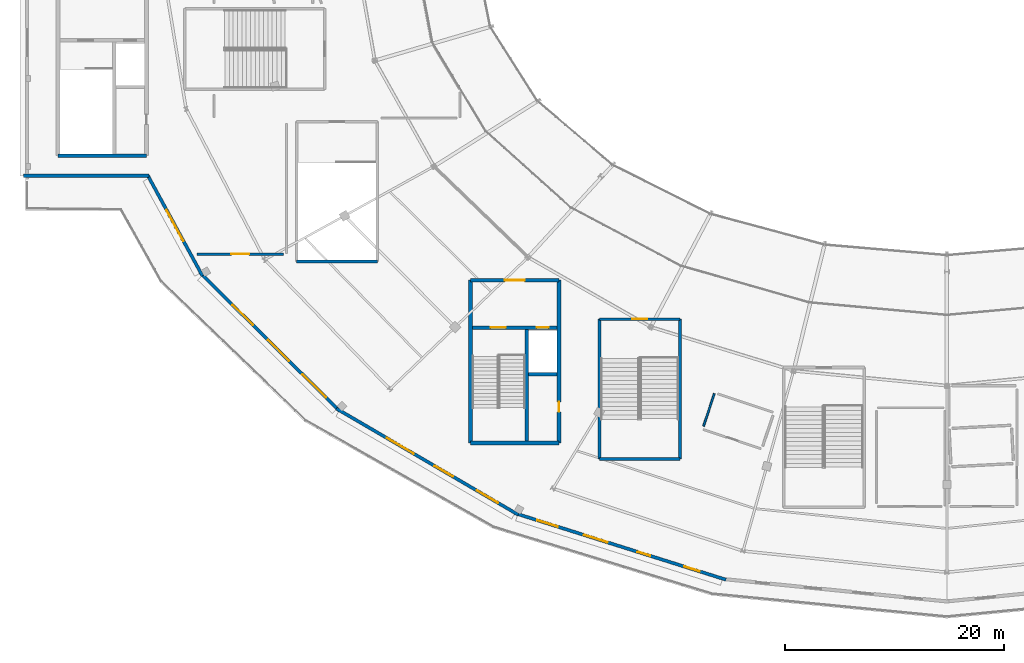
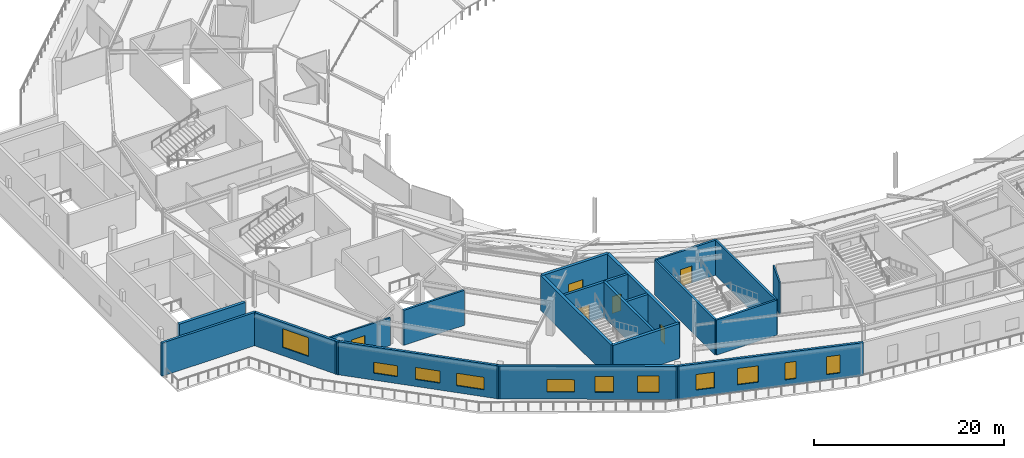
# One storey, part 32 of 63: 20 walls, 11 windows, 6 doors, 17 openings.
"""IFC4 building model written with IfcOpenShell, lengths in metres."""

from ifc_helpers import new_model, si_unit, direction, frame, frame_2d, origin, place, context, subcontext, project, spatial, rectangle, extrude, material, layer, layer_set, type_object, element, fill, save


model = new_model("IFC4")

# Units and contexts
model_context = context("Model", 3, precision=1e-05, world=origin(), true_north=direction((0.0, 1.0)))
body_context = subcontext(model_context, "Body", "Model", "MODEL_VIEW")
ifc_project = project(units=[si_unit("LENGTHUNIT", "METRE"), si_unit("AREAUNIT", "SQUARE_METRE"), si_unit("VOLUMEUNIT", "CUBIC_METRE"), si_unit("PLANEANGLEUNIT", "RADIAN"), si_unit("MASSUNIT", "GRAM", prefix="KILO")], contexts=[model_context])

# Site, building, storey
site_placement = place(None, origin())
site = spatial("IfcSite", under=ifc_project, at=site_placement, CompositionType="ELEMENT")
building_placement = place(site_placement, origin())
building = spatial("IfcBuilding", under=site, at=building_placement, Name="Kalgoora Escarpment Arena", CompositionType="ELEMENT")
storey_placement = place(building_placement, frame((0.0, 0.0, 14.39990234375)))
storey = spatial("IfcBuildingStorey", under=building, at=storey_placement, Name="L03", CompositionType="ELEMENT", Elevation=14.39990234375)

# Walls
ifc_material_1 = material(Name="Concrete N50 (fc' 50 MPa)", Category="concrete")
ifc_layer_1 = layer(ifc_material_1, 0.35009765625)
ifc_layer_set_1 = layer_set([ifc_layer_1], Name="WAL-CORE-350")
wall_type_1 = type_object("IfcWallType", Name="WAL-CORE-350", PredefinedType="SHEAR", material=ifc_layer_set_1)
wall_1_placement = place(storey_placement, frame((11.375, 44.97509765625, 0.0), z_axis=(0.0, 0.0, 1.0), x_axis=(1.0, 0.0, 0.0)))
element("IfcWall", 1, at=wall_1_placement, inside=storey, type_object=wall_type_1, Name="Core C2 L03 south shear wall", PredefinedType="SHEAR", context=body_context, shape_type="SweptSolid", body=[
    extrude(rectangle(XDim=8.050048828125, YDim=0.35009765625, at=frame_2d((4.02490234375, 0.0))), origin(), (0.0, 0.0, 1.0), 4.5),
])
wall_2_placement = place(storey_placement, frame((48.97509765625, 18.77490234375, 0.0), z_axis=(0.0, 0.0, 1.0), x_axis=(1.0, 0.0, 0.0)))
element("IfcWall", 2, at=wall_2_placement, inside=storey, type_object=wall_type_1, Name="Core C5 L03 south shear wall", PredefinedType="SHEAR", context=body_context, shape_type="SweptSolid", body=[
    extrude(rectangle(XDim=8.0498046875, YDim=0.35009765625, at=frame_2d((4.02490234375, 0.0))), origin(), (0.0, 0.0, 1.0), 4.5),
])

# Wall, opening, door
wall_3_placement = place(storey_placement, frame((48.97509765625, 33.625, 0.0), z_axis=(0.0, 0.0, 1.0), x_axis=(1.0, 0.0, 0.0)))
wall_3 = element("IfcWall", 3, at=wall_3_placement, inside=storey, type_object=wall_type_1, Name="Core C5 L03 north lobby wall", PredefinedType="SHEAR", context=body_context, shape_type="SweptSolid", body=[
    extrude(rectangle(XDim=8.0498046875, YDim=0.35009765625, at=frame_2d((4.02490234375, 0.0))), origin(), (0.0, 0.0, 1.0), 4.5),
])
opening_1_placement = place(wall_3_placement, frame((3.125, 0.0, 0.0)))
opening_1 = element("IfcOpeningElement", 4, at=opening_1_placement, cuts=wall_3, Name="Opening FD-C5L", PredefinedType="OPENING", context=body_context, shape_type="SweptSolid", body=[
    extrude(rectangle(XDim=1.800048828125, YDim=2.25, at=frame_2d((0.89990234375, 1.125))), frame((0.0, 0.18505859375, 0.0), z_axis=(0.0, -1.0, 0.0), x_axis=(1.0, 0.0, 0.0)), (0.0, 0.0, 1.0), 0.3701171875),
])
ifc_material_2 = material(Name="Double fire-rated smoke-seal lobby door")
door_type_1 = type_object("IfcDoorType", Name="DR-LOBBY-1800", OperationType="NOTDEFINED", PredefinedType="DOOR", material=ifc_material_2)
door_1_placement = place(opening_1_placement, origin())
door_1 = element("IfcDoor", 5, at=door_1_placement, inside=storey, type_object=door_type_1, Name="Core C5 L03 smoke-lobby fire door", OperationType="DOUBLE_DOOR_SINGLE_SWING", OverallHeight=2.25, OverallWidth=1.800048828125, PredefinedType="DOOR", context=body_context, shape_type="SweptSolid", body=[
    extrude(rectangle(XDim=1.800048828125, YDim=2.25, at=frame_2d((0.89990234375, 1.125))), frame((0.0, 0.02490234375, 0.0), z_axis=(0.0, -1.0, 0.0), x_axis=(1.0, 0.0, 0.0)), (0.0, 0.0, 1.0), 0.050048828125),
])
fill(opening_1, door_1)

# Wall
wall_4_placement = place(storey_placement, frame((48.97509765625, 18.77490234375, 0.0), z_axis=(0.0, 0.0, 1.0), x_axis=(0.0, 1.0, 0.0)))
element("IfcWall", 6, at=wall_4_placement, inside=storey, type_object=wall_type_1, Name="Core C5 L03 west shear wall", PredefinedType="SHEAR", context=body_context, shape_type="SweptSolid", body=[
    extrude(rectangle(XDim=14.85009765625, YDim=0.35009765625, at=frame_2d((7.425048828125, 0.0))), origin(), (0.0, 0.0, 1.0), 4.5),
])

# Wall, opening, door
wall_5_placement = place(storey_placement, frame((57.02490234375, 18.77490234375, 0.0), z_axis=(0.0, 0.0, 1.0), x_axis=(0.0, 1.0, 0.0)))
wall_5 = element("IfcWall", 7, at=wall_5_placement, inside=storey, type_object=wall_type_1, Name="Core C5 L03 east shear wall", PredefinedType="SHEAR", context=body_context, shape_type="SweptSolid", body=[
    extrude(rectangle(XDim=14.85009765625, YDim=0.35009765625, at=frame_2d((7.425048828125, 0.0))), origin(), (0.0, 0.0, 1.0), 4.5),
])
opening_2_placement = place(wall_5_placement, frame((2.85498046875, 0.0, 0.0)))
opening_2 = element("IfcOpeningElement", 8, at=opening_2_placement, cuts=wall_5, Name="Opening FD-C5R", PredefinedType="OPENING", context=body_context, shape_type="SweptSolid", body=[
    extrude(rectangle(XDim=0.89990234375, YDim=2.10009765625, at=frame_2d((0.449951171875, 1.050048828125))), frame((0.0, 0.18505859375, 0.0), z_axis=(0.0, -1.0, 0.0), x_axis=(1.0, 0.0, 0.0)), (0.0, 0.0, 1.0), 0.3701171875),
])
ifc_material_3 = material(Name="Fire-rated steel riser access door", Category="steel")
door_type_2 = type_object("IfcDoorType", Name="DR-RISER-0900", OperationType="NOTDEFINED", PredefinedType="DOOR", material=ifc_material_3)
door_2_placement = place(opening_2_placement, origin())
door_2 = element("IfcDoor", 9, at=door_2_placement, inside=storey, type_object=door_type_2, Name="Core C5 L03 riser cupboard access door", OperationType="SINGLE_SWING_RIGHT", OverallHeight=2.10009765625, OverallWidth=0.89990234375, PredefinedType="DOOR", context=body_context, shape_type="SweptSolid", body=[
    extrude(rectangle(XDim=0.89990234375, YDim=2.10009765625, at=frame_2d((0.449951171875, 1.050048828125))), frame((0.0, 0.02490234375, 0.0), z_axis=(0.0, -1.0, 0.0), x_axis=(1.0, 0.0, 0.0)), (0.0, 0.0, 1.0), 0.050048828125),
])
fill(opening_2, door_2)

# Wall, openings, windows
ifc_material_4 = material(Name="Upper concourse insulated spandrel wall 40 MPa", Category="concrete")
ifc_layer_2 = layer(ifc_material_4, 0.2900390625)
ifc_layer_set_2 = layer_set([ifc_layer_2], Name="WAL-EXT-290")
wall_type_2 = type_object("IfcWallType", Name="WAL-EXT-290", PredefinedType="SOLIDWALL", material=ifc_layer_set_2)
wall_6_placement = place(storey_placement, frame((72.2607421875, 6.3251953125, 0.0), z_axis=(0.0, 0.0, 1.0), x_axis=(-0.953756113153, 0.30058156401, 0.0)))
wall_6 = element("IfcWall", 10, at=wall_6_placement, inside=storey, type_object=wall_type_2, Name="L03 limestone-faced external wall 073", PredefinedType="SOLIDWALL", context=body_context, shape_type="SweptSolid", body=[
    extrude(rectangle(XDim=20.21240234375, YDim=0.2900390625, at=frame_2d((10.106201171875, 0.0))), origin(), (0.0, 0.0, 1.0), 4.260009765625),
])
opening_3_placement = place(wall_6_placement, frame((2.5, 0.0, 0.75)))
opening_3 = element("IfcOpeningElement", 11, at=opening_3_placement, cuts=wall_6, Name="Opening W-03", PredefinedType="OPENING", context=body_context, shape_type="SweptSolid", body=[
    extrude(rectangle(XDim=1.5, YDim=2.300048828125, at=frame_2d((0.75, 1.14990234375))), frame((0.0, 0.155029296875, 0.0), z_axis=(0.0, -1.0, 0.0), x_axis=(1.0, 0.0, 0.0)), (0.0, 0.0, 1.0), 0.31005859375),
])
opening_4_placement = place(wall_6_placement, frame((7.25, 0.0, 0.75)))
opening_4 = element("IfcOpeningElement", 12, at=opening_4_placement, cuts=wall_6, Name="Opening W-05", PredefinedType="OPENING", context=body_context, shape_type="SweptSolid", body=[
    extrude(rectangle(XDim=1.199951171875, YDim=2.199951171875, at=frame_2d((0.60009765625, 1.10009765625))), frame((0.0, 0.155029296875, 0.0), z_axis=(0.0, -1.0, 0.0), x_axis=(1.0, 0.0, 0.0)), (0.0, 0.0, 1.0), 0.31005859375),
])
opening_5_placement = place(wall_6_placement, frame((11.324951171875, 0.0, 0.89990234375)))
opening_5 = element("IfcOpeningElement", 13, at=opening_5_placement, cuts=wall_6, Name="Opening W-07", PredefinedType="OPENING", context=body_context, shape_type="SweptSolid", body=[
    extrude(rectangle(XDim=2.25, YDim=2.10009765625, at=frame_2d((1.125, 1.050048828125))), frame((0.0, 0.155029296875, 0.0), z_axis=(0.0, -1.0, 0.0), x_axis=(1.0, 0.0, 0.0)), (0.0, 0.0, 1.0), 0.31005859375),
])
opening_6_placement = place(wall_6_placement, frame((16.074951171875, 0.0, 0.89990234375)))
opening_6 = element("IfcOpeningElement", 14, at=opening_6_placement, cuts=wall_6, Name="Opening W-09", PredefinedType="OPENING", context=body_context, shape_type="SweptSolid", body=[
    extrude(rectangle(XDim=1.949951171875, YDim=2.0, at=frame_2d((0.97509765625, 1.0))), frame((0.0, 0.155029296875, 0.0), z_axis=(0.0, -1.0, 0.0), x_axis=(1.0, 0.0, 0.0)), (0.0, 0.0, 1.0), 0.31005859375),
])
ifc_material_5 = material(Name="Low-E solar-control double glazing in champagne frame", Category="glass")
window_type_1 = type_object("IfcWindowType", Name="WIN-DECO-1200x2200", PartitioningType="SINGLE_PANEL", PredefinedType="WINDOW", material=ifc_material_5)
window_1_placement = place(opening_4_placement, origin())
window_1 = element("IfcWindow", 15, at=window_1_placement, inside=storey, type_object=window_type_1, Name="L03 scheduled facade window 124", OverallHeight=2.199951171875, OverallWidth=1.199951171875, PartitioningType="SINGLE_PANEL", PredefinedType="WINDOW", context=body_context, shape_type="SweptSolid", body=[
    extrude(rectangle(XDim=1.199951171875, YDim=2.199951171875, at=frame_2d((0.60009765625, 1.10009765625))), frame((0.0, 0.030029296875, 0.0), z_axis=(0.0, -1.0, 0.0), x_axis=(1.0, 0.0, 0.0)), (0.0, 0.0, 1.0), 0.06005859375),
])
fill(opening_4, window_1)
ifc_material_6 = material(Name="Low-E solar-control double glazing in champagne frame", Category="glass")
window_type_2 = type_object("IfcWindowType", Name="WIN-DECO-1500x2300", PartitioningType="SINGLE_PANEL", PredefinedType="WINDOW", material=ifc_material_6)
window_2_placement = place(opening_3_placement, origin())
window_2 = element("IfcWindow", 16, at=window_2_placement, inside=storey, type_object=window_type_2, Name="L03 scheduled facade window 123", OverallHeight=2.300048828125, OverallWidth=1.5, PartitioningType="SINGLE_PANEL", PredefinedType="WINDOW", context=body_context, shape_type="SweptSolid", body=[
    extrude(rectangle(XDim=1.5, YDim=2.300048828125, at=frame_2d((0.75, 1.14990234375))), frame((0.0, 0.030029296875, 0.0), z_axis=(0.0, -1.0, 0.0), x_axis=(1.0, 0.0, 0.0)), (0.0, 0.0, 1.0), 0.06005859375),
])
fill(opening_3, window_2)
ifc_material_7 = material(Name="Low-E solar-control double glazing in champagne frame", Category="glass")
window_type_3 = type_object("IfcWindowType", Name="WIN-DECO-1950x2000", PartitioningType="SINGLE_PANEL", PredefinedType="WINDOW", material=ifc_material_7)
window_3_placement = place(opening_6_placement, origin())
window_3 = element("IfcWindow", 17, at=window_3_placement, inside=storey, type_object=window_type_3, Name="L03 scheduled facade window 126", OverallHeight=2.0, OverallWidth=1.949951171875, PartitioningType="SINGLE_PANEL", PredefinedType="WINDOW", context=body_context, shape_type="SweptSolid", body=[
    extrude(rectangle(XDim=1.949951171875, YDim=2.0, at=frame_2d((0.97509765625, 1.0))), frame((0.0, 0.030029296875, 0.0), z_axis=(0.0, -1.0, 0.0), x_axis=(1.0, 0.0, 0.0)), (0.0, 0.0, 1.0), 0.06005859375),
])
fill(opening_6, window_3)
ifc_material_8 = material(Name="Low-E solar-control double glazing in champagne frame", Category="glass")
window_type_4 = type_object("IfcWindowType", Name="WIN-DECO-2250x2100", PartitioningType="SINGLE_PANEL", PredefinedType="WINDOW", material=ifc_material_8)
window_4_placement = place(opening_5_placement, origin())
window_4 = element("IfcWindow", 18, at=window_4_placement, inside=storey, type_object=window_type_4, Name="L03 scheduled facade window 125", OverallHeight=2.10009765625, OverallWidth=2.25, PartitioningType="SINGLE_PANEL", PredefinedType="WINDOW", context=body_context, shape_type="SweptSolid", body=[
    extrude(rectangle(XDim=2.25, YDim=2.10009765625, at=frame_2d((1.125, 1.050048828125))), frame((0.0, 0.030029296875, 0.0), z_axis=(0.0, -1.0, 0.0), x_axis=(1.0, 0.0, 0.0)), (0.0, 0.0, 1.0), 0.06005859375),
])
fill(opening_5, window_4)

wall_7_placement = place(storey_placement, frame((53.318359375, 12.252197265625, 0.0), z_axis=(0.0, 0.0, 1.0), x_axis=(-0.863607623942, 0.504164528572, 0.0)))
wall_7 = element("IfcWall", 19, at=wall_7_placement, inside=storey, type_object=wall_type_2, Name="L03 limestone-faced external wall 074", PredefinedType="SOLIDWALL", context=body_context, shape_type="SweptSolid", body=[
    extrude(rectangle(XDim=19.185791015625, YDim=0.2900390625, at=frame_2d((9.5927734375, 0.0))), origin(), (0.0, 0.0, 1.0), 4.260009765625),
])
opening_7_placement = place(wall_7_placement, frame((2.125, 0.0, 0.89990234375)))
opening_7 = element("IfcOpeningElement", 20, at=opening_7_placement, cuts=wall_7, Name="Opening W-07", PredefinedType="OPENING", context=body_context, shape_type="SweptSolid", body=[
    extrude(rectangle(XDim=2.25, YDim=2.10009765625, at=frame_2d((1.125, 1.050048828125))), frame((0.0, 0.155029296875, 0.0), z_axis=(0.0, -1.0, 0.0), x_axis=(1.0, 0.0, 0.0)), (0.0, 0.0, 1.0), 0.31005859375),
])
opening_8_placement = place(wall_7_placement, frame((6.875, 0.0, 0.89990234375)))
opening_8 = element("IfcOpeningElement", 21, at=opening_8_placement, cuts=wall_7, Name="Opening W-09", PredefinedType="OPENING", context=body_context, shape_type="SweptSolid", body=[
    extrude(rectangle(XDim=1.949951171875, YDim=2.0, at=frame_2d((0.97509765625, 1.0))), frame((0.0, 0.155029296875, 0.0), z_axis=(0.0, -1.0, 0.0), x_axis=(1.0, 0.0, 0.0)), (0.0, 0.0, 1.0), 0.31005859375),
])
opening_9_placement = place(wall_7_placement, frame((11.02490234375, 0.0, 0.89990234375)))
opening_9 = element("IfcOpeningElement", 22, at=opening_9_placement, cuts=wall_7, Name="Opening W-11", PredefinedType="OPENING", context=body_context, shape_type="SweptSolid", body=[
    extrude(rectangle(XDim=2.85009765625, YDim=1.60009765625, at=frame_2d((1.425048828125, 0.800048828125))), frame((0.0, 0.155029296875, 0.0), z_axis=(0.0, -1.0, 0.0), x_axis=(1.0, 0.0, 0.0)), (0.0, 0.0, 1.0), 0.31005859375),
])
ifc_material_9 = material(Name="Low-E solar-control double glazing in champagne frame", Category="glass")
window_type_5 = type_object("IfcWindowType", Name="WIN-BAND-2850x1600", PartitioningType="SINGLE_PANEL", PredefinedType="WINDOW", material=ifc_material_9)
window_5_placement = place(opening_9_placement, origin())
window_5 = element("IfcWindow", 23, at=window_5_placement, inside=storey, type_object=window_type_5, Name="L03 scheduled facade window 129", OverallHeight=1.60009765625, OverallWidth=2.85009765625, PartitioningType="SINGLE_PANEL", PredefinedType="WINDOW", context=body_context, shape_type="SweptSolid", body=[
    extrude(rectangle(XDim=2.85009765625, YDim=1.60009765625, at=frame_2d((1.425048828125, 0.800048828125))), frame((0.0, 0.030029296875, 0.0), z_axis=(0.0, -1.0, 0.0), x_axis=(1.0, 0.0, 0.0)), (0.0, 0.0, 1.0), 0.06005859375),
])
fill(opening_9, window_5)
window_6_placement = place(opening_8_placement, origin())
window_6 = element("IfcWindow", 24, at=window_6_placement, inside=storey, type_object=window_type_3, Name="L03 scheduled facade window 128", OverallHeight=2.0, OverallWidth=1.949951171875, PartitioningType="SINGLE_PANEL", PredefinedType="WINDOW", context=body_context, shape_type="SweptSolid", body=[
    extrude(rectangle(XDim=1.949951171875, YDim=2.0, at=frame_2d((0.97509765625, 1.0))), frame((0.0, 0.030029296875, 0.0), z_axis=(0.0, -1.0, 0.0), x_axis=(1.0, 0.0, 0.0)), (0.0, 0.0, 1.0), 0.06005859375),
])
fill(opening_8, window_6)
window_7_placement = place(opening_7_placement, origin())
window_7 = element("IfcWindow", 25, at=window_7_placement, inside=storey, type_object=window_type_4, Name="L03 scheduled facade window 127", OverallHeight=2.10009765625, OverallWidth=2.25, PartitioningType="SINGLE_PANEL", PredefinedType="WINDOW", context=body_context, shape_type="SweptSolid", body=[
    extrude(rectangle(XDim=2.25, YDim=2.10009765625, at=frame_2d((1.125, 1.050048828125))), frame((0.0, 0.030029296875, 0.0), z_axis=(0.0, -1.0, 0.0), x_axis=(1.0, 0.0, 0.0)), (0.0, 0.0, 1.0), 0.06005859375),
])
fill(opening_7, window_7)

wall_8_placement = place(storey_placement, frame((37.04296875, 21.699462890625, 0.0), z_axis=(0.0, 0.0, 1.0), x_axis=(-0.71011693404, 0.704083759214, 0.0)))
wall_8 = element("IfcWall", 26, at=wall_8_placement, inside=storey, type_object=wall_type_2, Name="L03 limestone-faced external wall 075", PredefinedType="SOLIDWALL", context=body_context, shape_type="SweptSolid", body=[
    extrude(rectangle(XDim=17.926513671875, YDim=0.2900390625, at=frame_2d((8.96337890625, 0.0))), origin(), (0.0, 0.0, 1.0), 4.260009765625),
])
opening_10_placement = place(wall_8_placement, frame((1.75, 0.0, 0.89990234375)))
opening_10 = element("IfcOpeningElement", 27, at=opening_10_placement, cuts=wall_8, Name="Opening W-10", PredefinedType="OPENING", context=body_context, shape_type="SweptSolid", body=[
    extrude(rectangle(XDim=3.0, YDim=1.60009765625, at=frame_2d((1.5, 0.800048828125))), frame((0.0, 0.155029296875, 0.0), z_axis=(0.0, -1.0, 0.0), x_axis=(1.0, 0.0, 0.0)), (0.0, 0.0, 1.0), 0.31005859375),
])
opening_11_placement = place(wall_8_placement, frame((6.5, 0.0, 0.89990234375)))
opening_11 = element("IfcOpeningElement", 28, at=opening_11_placement, cuts=wall_8, Name="Opening W-12", PredefinedType="OPENING", context=body_context, shape_type="SweptSolid", body=[
    extrude(rectangle(XDim=2.699951171875, YDim=1.550048828125, at=frame_2d((1.35009765625, 0.77490234375))), frame((0.0, 0.155029296875, 0.0), z_axis=(0.0, -1.0, 0.0), x_axis=(1.0, 0.0, 0.0)), (0.0, 0.0, 1.0), 0.31005859375),
])
opening_12_placement = place(wall_8_placement, frame((11.14990234375, 0.0, 0.89990234375)))
opening_12 = element("IfcOpeningElement", 29, at=opening_12_placement, cuts=wall_8, Name="Opening W-14", PredefinedType="OPENING", context=body_context, shape_type="SweptSolid", body=[
    extrude(rectangle(XDim=2.60009765625, YDim=1.39990234375, at=frame_2d((1.300048828125, 0.699951171875))), frame((0.0, 0.155029296875, 0.0), z_axis=(0.0, -1.0, 0.0), x_axis=(1.0, 0.0, 0.0)), (0.0, 0.0, 1.0), 0.31005859375),
])
ifc_material_10 = material(Name="Low-E solar-control double glazing in champagne frame", Category="glass")
window_type_6 = type_object("IfcWindowType", Name="WIN-BAND-2700x1550", PartitioningType="SINGLE_PANEL", PredefinedType="WINDOW", material=ifc_material_10)
window_8_placement = place(opening_11_placement, origin())
window_8 = element("IfcWindow", 30, at=window_8_placement, inside=storey, type_object=window_type_6, Name="L03 scheduled facade window 131", OverallHeight=1.550048828125, OverallWidth=2.699951171875, PartitioningType="SINGLE_PANEL", PredefinedType="WINDOW", context=body_context, shape_type="SweptSolid", body=[
    extrude(rectangle(XDim=2.699951171875, YDim=1.550048828125, at=frame_2d((1.35009765625, 0.77490234375))), frame((0.0, 0.030029296875, 0.0), z_axis=(0.0, -1.0, 0.0), x_axis=(1.0, 0.0, 0.0)), (0.0, 0.0, 1.0), 0.06005859375),
])
fill(opening_11, window_8)
ifc_material_11 = material(Name="Low-E solar-control double glazing in champagne frame", Category="glass")
window_type_7 = type_object("IfcWindowType", Name="WIN-BAND-3000x1600", PartitioningType="SINGLE_PANEL", PredefinedType="WINDOW", material=ifc_material_11)
window_9_placement = place(opening_10_placement, origin())
window_9 = element("IfcWindow", 31, at=window_9_placement, inside=storey, type_object=window_type_7, Name="L03 scheduled facade window 130", OverallHeight=1.60009765625, OverallWidth=3.0, PartitioningType="SINGLE_PANEL", PredefinedType="WINDOW", context=body_context, shape_type="SweptSolid", body=[
    extrude(rectangle(XDim=3.0, YDim=1.60009765625, at=frame_2d((1.5, 0.800048828125))), frame((0.0, 0.030029296875, 0.0), z_axis=(0.0, -1.0, 0.0), x_axis=(1.0, 0.0, 0.0)), (0.0, 0.0, 1.0), 0.06005859375),
])
fill(opening_10, window_9)
ifc_material_12 = material(Name="Low-E solar-control double glazing in champagne frame", Category="glass")
window_type_8 = type_object("IfcWindowType", Name="WIN-CLER-2600x1400", PartitioningType="SINGLE_PANEL", PredefinedType="WINDOW", material=ifc_material_12)
window_10_placement = place(opening_12_placement, origin())
window_10 = element("IfcWindow", 32, at=window_10_placement, inside=storey, type_object=window_type_8, Name="L03 scheduled facade window 132", OverallHeight=1.39990234375, OverallWidth=2.60009765625, PartitioningType="SINGLE_PANEL", PredefinedType="WINDOW", context=body_context, shape_type="SweptSolid", body=[
    extrude(rectangle(XDim=2.60009765625, YDim=1.39990234375, at=frame_2d((1.300048828125, 0.699951171875))), frame((0.0, 0.030029296875, 0.0), z_axis=(0.0, -1.0, 0.0), x_axis=(1.0, 0.0, 0.0)), (0.0, 0.0, 1.0), 0.06005859375),
])
fill(opening_12, window_10)

# Wall, opening, window
wall_9_placement = place(storey_placement, frame((24.5380859375, 34.021484375, 0.0), z_axis=(0.0, 0.0, 1.0), x_axis=(-0.478159273108, 0.878273140623, 0.0)))
wall_9 = element("IfcWall", 33, at=wall_9_placement, inside=storey, type_object=wall_type_2, Name="L03 limestone-faced external wall 076", PredefinedType="SOLIDWALL", context=body_context, shape_type="SweptSolid", body=[
    extrude(rectangle(XDim=10.469970703125, YDim=0.2900390625, at=frame_2d((5.23486328125, 0.0))), origin(), (0.0, 0.0, 1.0), 4.260009765625),
])
opening_13_placement = place(wall_9_placement, frame((3.635009765625, 0.0, 1.050048828125)))
opening_13 = element("IfcOpeningElement", 34, at=opening_13_placement, cuts=wall_9, Name="Opening SK-01", PredefinedType="OPENING", context=body_context, shape_type="SweptSolid", body=[
    extrude(rectangle(XDim=3.199951171875, YDim=2.39990234375, at=frame_2d((1.60009765625, 1.199951171875))), frame((0.0, 0.155029296875, 0.0), z_axis=(0.0, -1.0, 0.0), x_axis=(1.0, 0.0, 0.0)), (0.0, 0.0, 1.0), 0.31005859375),
])
ifc_material_13 = material(Name="Low-E solar-control double glazing in champagne frame", Category="glass")
window_type_9 = type_object("IfcWindowType", Name="SKY-OCULUS-3200", PartitioningType="SINGLE_PANEL", PredefinedType="SKYLIGHT", material=ifc_material_13)
window_11_placement = place(opening_13_placement, origin())
window_11 = element("IfcWindow", 35, at=window_11_placement, inside=storey, type_object=window_type_9, Name="Clerestory acoustic skylight 01", OverallHeight=2.39990234375, OverallWidth=3.199951171875, PartitioningType="SINGLE_PANEL", PredefinedType="SKYLIGHT", context=body_context, shape_type="SweptSolid", body=[
    extrude(rectangle(XDim=3.199951171875, YDim=2.39990234375, at=frame_2d((1.60009765625, 1.199951171875))), frame((0.0, 0.030029296875, 0.0), z_axis=(0.0, -1.0, 0.0), x_axis=(1.0, 0.0, 0.0)), (0.0, 0.0, 1.0), 0.06005859375),
])
fill(opening_13, window_11)

# Wall
wall_10_placement = place(storey_placement, frame((19.653076171875, 43.14501953125, 0.0), z_axis=(0.0, 0.0, 1.0), x_axis=(-1.0, 0.0, 0.0)))
element("IfcWall", 36, at=wall_10_placement, inside=storey, type_object=wall_type_2, Name="L03 limestone-faced external wall 077", PredefinedType="SOLIDWALL", context=body_context, shape_type="SweptSolid", body=[
    extrude(rectangle(XDim=11.42138671875, YDim=0.2900390625, at=frame_2d((5.710693359375, 0.0))), origin(), (0.0, 0.0, 1.0), 4.260009765625),
])

# Wall, opening, door
ifc_material_14 = material(Name="Acoustic masonry plant wall Concrete N40 (fc' 40 MPa)", Category="masonry")
ifc_layer_3 = layer(ifc_material_14, 0.205078125)
ifc_layer_set_3 = layer_set([ifc_layer_3], Name="WAL-PLANT-205")
wall_type_3 = type_object("IfcWallType", Name="WAL-PLANT-205", PredefinedType="SOLIDWALL", material=ifc_layer_set_3)
wall_11_placement = place(storey_placement, frame((31.915283203125, 36.0, 0.0), z_axis=(0.0, 0.0, 1.0), x_axis=(-1.0, 0.0, 0.0)))
wall_11 = element("IfcWall", 37, at=wall_11_placement, inside=storey, type_object=wall_type_3, Name="L03 West Concourse AHU Plant Room partition wall", PredefinedType="SOLIDWALL", context=body_context, shape_type="SweptSolid", body=[
    extrude(rectangle(XDim=7.86181640625, YDim=0.205078125, at=frame_2d((3.930908203125, 0.0))), origin(), (0.0, 0.0, 1.0), 3.56298828125),
])
opening_14_placement = place(wall_11_placement, frame((3.130859375, 0.0, 0.0)))
opening_14 = element("IfcOpeningElement", 38, at=opening_14_placement, cuts=wall_11, Name="Opening FD-I125", PredefinedType="OPENING", context=body_context, shape_type="SweptSolid", body=[
    extrude(rectangle(XDim=1.60009765625, YDim=2.35009765625, at=frame_2d((0.800048828125, 1.175048828125))), frame((0.0, 0.112548828125, 0.0), z_axis=(0.0, -1.0, 0.0), x_axis=(1.0, 0.0, 0.0)), (0.0, 0.0, 1.0), 0.22509765625),
])
ifc_material_15 = material(Name="Acoustic steel double plant room door", Category="steel")
door_type_3 = type_object("IfcDoorType", Name="DR-PLANT-1600", OperationType="NOTDEFINED", PredefinedType="DOOR", material=ifc_material_15)
door_3_placement = place(opening_14_placement, origin())
door_3 = element("IfcDoor", 39, at=door_3_placement, inside=storey, type_object=door_type_3, Name="West Concourse AHU Plant Room entrance door", OperationType="DOUBLE_DOOR_SINGLE_SWING", OverallHeight=2.35009765625, OverallWidth=1.60009765625, PredefinedType="DOOR", context=body_context, shape_type="SweptSolid", body=[
    extrude(rectangle(XDim=1.60009765625, YDim=2.35009765625, at=frame_2d((0.800048828125, 1.175048828125))), frame((0.0, 0.02490234375, 0.0), z_axis=(0.0, -1.0, 0.0), x_axis=(1.0, 0.0, 0.0)), (0.0, 0.0, 1.0), 0.050048828125),
])
fill(opening_14, door_3)

# Wall, openings, doors
ifc_material_16 = material(Name="Concrete N50 (fc' 50 MPa)", Category="concrete")
ifc_layer_4 = layer(ifc_material_16, 0.300048828125)
ifc_layer_set_4 = layer_set([ifc_layer_4], Name="WAL-SHAFT-300")
wall_type_4 = type_object("IfcWallType", Name="WAL-SHAFT-300", PredefinedType="SHEAR", material=ifc_layer_set_4)
wall_12_placement = place(storey_placement, frame((49.14990234375, 29.300048828125, 0.0), z_axis=(0.0, 0.0, 1.0), x_axis=(1.0, 0.0, 0.0)))
wall_12 = element("IfcWall", 40, at=wall_12_placement, inside=storey, type_object=wall_type_4, Name="Core C5 L03 lobby shaft wall", PredefinedType="SHEAR", context=body_context, shape_type="SweptSolid", body=[
    extrude(rectangle(XDim=7.7001953125, YDim=0.300048828125, at=frame_2d((3.85009765625, 0.0))), origin(), (0.0, 0.0, 1.0), 4.5),
])
opening_15_placement = place(wall_12_placement, frame((1.64990234375, 0.0, 0.0)))
opening_15 = element("IfcOpeningElement", 41, at=opening_15_placement, cuts=wall_12, Name="Opening FD-ST05", PredefinedType="OPENING", context=body_context, shape_type="SweptSolid", body=[
    extrude(rectangle(XDim=1.39990234375, YDim=2.199951171875, at=frame_2d((0.699951171875, 1.10009765625))), frame((0.0, 0.159912109375, 0.0), z_axis=(0.0, -1.0, 0.0), x_axis=(1.0, 0.0, 0.0)), (0.0, 0.0, 1.0), 0.320068359375),
])
opening_16_placement = place(wall_12_placement, frame((5.85009765625, 0.0, 0.0)))
opening_16 = element("IfcOpeningElement", 42, at=opening_16_placement, cuts=wall_12, Name="Opening LD-PL3", PredefinedType="OPENING", context=body_context, shape_type="SweptSolid", body=[
    extrude(rectangle(XDim=1.10009765625, YDim=2.199951171875, at=frame_2d((0.550048828125, 1.10009765625))), frame((0.0, 0.159912109375, 0.0), z_axis=(0.0, -1.0, 0.0), x_axis=(1.0, 0.0, 0.0)), (0.0, 0.0, 1.0), 0.320068359375),
])
ifc_material_17 = material(Name="Brushed stainless steel sliding lift landing door", Category="steel")
door_type_4 = type_object("IfcDoorType", Name="DR-LD-PL3", OperationType="SLIDING_TO_LEFT", PredefinedType="DOOR", material=ifc_material_17)
door_4_placement = place(opening_16_placement, origin())
door_4 = element("IfcDoor", 43, at=door_4_placement, inside=storey, type_object=door_type_4, Name="Lift PL3 L03 sliding landing door", OperationType="SLIDING_TO_LEFT", OverallHeight=2.199951171875, OverallWidth=1.10009765625, PredefinedType="DOOR", context=body_context, shape_type="SweptSolid", body=[
    extrude(rectangle(XDim=1.10009765625, YDim=2.199951171875, at=frame_2d((0.550048828125, 1.10009765625))), frame((0.0, 0.02490234375, 0.0), z_axis=(0.0, -1.0, 0.0), x_axis=(1.0, 0.0, 0.0)), (0.0, 0.0, 1.0), 0.050048828125),
])
fill(opening_16, door_4)
ifc_material_18 = material(Name="Fire-rated steel stair leaf with vision panel", Category="steel")
door_type_5 = type_object("IfcDoorType", Name="DR-STAIR-1400", OperationType="NOTDEFINED", PredefinedType="DOOR", material=ifc_material_18)
door_5_placement = place(opening_15_placement, origin())
door_5 = element("IfcDoor", 44, at=door_5_placement, inside=storey, type_object=door_type_5, Name="Fire stair ST05 L03 fire door", OperationType="SINGLE_SWING_LEFT", OverallHeight=2.199951171875, OverallWidth=1.39990234375, PredefinedType="DOOR", context=body_context, shape_type="SweptSolid", body=[
    extrude(rectangle(XDim=1.39990234375, YDim=2.199951171875, at=frame_2d((0.699951171875, 1.10009765625))), frame((0.0, 0.02490234375, 0.0), z_axis=(0.0, -1.0, 0.0), x_axis=(1.0, 0.0, 0.0)), (0.0, 0.0, 1.0), 0.050048828125),
])
fill(opening_15, door_5)

# Walls
wall_13_placement = place(storey_placement, frame((54.10009765625, 18.949951171875, 0.0), z_axis=(0.0, 0.0, 1.0), x_axis=(0.0, 1.0, 0.0)))
element("IfcWall", 45, at=wall_13_placement, inside=storey, type_object=wall_type_4, Name="Core C5 L03 stair-lift spine wall", PredefinedType="SHEAR", context=body_context, shape_type="SweptSolid", body=[
    extrude(rectangle(XDim=10.35009765625, YDim=0.300048828125, at=frame_2d((5.175048828125, 0.0))), origin(), (0.0, 0.0, 1.0), 4.5),
])
wall_14_placement = place(storey_placement, frame((54.25, 25.050048828125, 0.0), z_axis=(0.0, 0.0, 1.0), x_axis=(1.0, 0.0, 0.0)))
element("IfcWall", 46, at=wall_14_placement, inside=storey, type_object=wall_type_4, Name="Core C5 L03 lift-riser divider wall", PredefinedType="SHEAR", context=body_context, shape_type="SweptSolid", body=[
    extrude(rectangle(XDim=2.60009765625, YDim=0.300048828125, at=frame_2d((1.300048828125, 0.0))), origin(), (0.0, 0.0, 1.0), 4.5),
])
ifc_material_19 = material(Name="Concrete N50 (fc' 50 MPa)", Category="concrete")
ifc_layer_5 = layer(ifc_material_19, 0.25)
ifc_layer_set_5 = layer_set([ifc_layer_5], Name="WAL-STAIR-250")
wall_type_5 = type_object("IfcWallType", Name="WAL-STAIR-250", PredefinedType="SHEAR", material=ifc_layer_set_5)
wall_15_placement = place(storey_placement, frame((60.72509765625, 17.324951171875, 0.0), z_axis=(0.0, 0.0, 1.0), x_axis=(1.0, 0.0, 0.0)))
element("IfcWall", 47, at=wall_15_placement, inside=storey, type_object=wall_type_5, Name="Exit stair ST13 L03 south wall", PredefinedType="SHEAR", context=body_context, shape_type="SweptSolid", body=[
    extrude(rectangle(XDim=7.349853515625, YDim=0.25, at=frame_2d((3.6748046875, 0.0))), origin(), (0.0, 0.0, 1.0), 4.5),
])

# Wall, opening, door
wall_16_placement = place(storey_placement, frame((60.72509765625, 30.074951171875, 0.0), z_axis=(0.0, 0.0, 1.0), x_axis=(1.0, 0.0, 0.0)))
wall_16 = element("IfcWall", 48, at=wall_16_placement, inside=storey, type_object=wall_type_5, Name="Exit stair ST13 L03 north wall", PredefinedType="SHEAR", context=body_context, shape_type="SweptSolid", body=[
    extrude(rectangle(XDim=7.349853515625, YDim=0.25, at=frame_2d((3.6748046875, 0.0))), origin(), (0.0, 0.0, 1.0), 4.5),
])
opening_17_placement = place(wall_16_placement, frame((2.97509765625, 0.0, 0.0)))
opening_17 = element("IfcOpeningElement", 49, at=opening_17_placement, cuts=wall_16, Name="Opening FD-ST13", PredefinedType="OPENING", context=body_context, shape_type="SweptSolid", body=[
    extrude(rectangle(XDim=1.39990234375, YDim=2.199951171875, at=frame_2d((0.699951171875, 1.10009765625))), frame((0.0, 0.135009765625, 0.0), z_axis=(0.0, -1.0, 0.0), x_axis=(1.0, 0.0, 0.0)), (0.0, 0.0, 1.0), 0.27001953125),
])
door_6_placement = place(opening_17_placement, origin())
door_6 = element("IfcDoor", 50, at=door_6_placement, inside=storey, type_object=door_type_5, Name="Fire-isolated stair ST13 L03 egress door", OperationType="SINGLE_SWING_RIGHT", OverallHeight=2.199951171875, OverallWidth=1.39990234375, PredefinedType="DOOR", context=body_context, shape_type="SweptSolid", body=[
    extrude(rectangle(XDim=1.39990234375, YDim=2.199951171875, at=frame_2d((0.699951171875, 1.10009765625))), frame((0.0, 0.02490234375, 0.0), z_axis=(0.0, -1.0, 0.0), x_axis=(1.0, 0.0, 0.0)), (0.0, 0.0, 1.0), 0.050048828125),
])
fill(opening_17, door_6)

# Walls
for number, where, z_axis, x_axis, name in (
    (51, (60.72509765625, 17.324951171875, 0.0), (0.0, 0.0, 1.0), (0.0, 1.0, 0.0), "Exit stair ST13 L03 west wall"),
    (52, (68.074951171875, 17.324951171875, 0.0), (0.0, 0.0, 1.0), (0.0, 1.0, 0.0), "Exit stair ST13 L03 east wall"),
):
    element("IfcWall", number, at=place(storey_placement, frame(where, z_axis=z_axis, x_axis=x_axis)), inside=storey, type_object=wall_type_5, Name=name, PredefinedType="SHEAR", context=body_context, shape_type="SweptSolid", body=[
        extrude(rectangle(XDim=12.75, YDim=0.25, at=frame_2d((6.375, 0.0))), origin(), (0.0, 0.0, 1.0), 4.5),
    ])
wall_17_placement = place(storey_placement, frame((33.125, 35.324951171875, 0.0), z_axis=(0.0, 0.0, 1.0), x_axis=(1.0, 0.0, 0.0)))
element("IfcWall", 53, at=wall_17_placement, inside=storey, type_object=wall_type_5, Name="Exit stair ST20 L03 south wall", PredefinedType="SHEAR", context=body_context, shape_type="SweptSolid", body=[
    extrude(rectangle(XDim=7.35009765625, YDim=0.25, at=frame_2d((3.675048828125, 0.0))), origin(), (0.0, 0.0, 1.0), 4.5),
])
ifc_material_20 = material(Name="Twin-stud acoustic plasterboard FRL -/60/60", Category="gypsum")
ifc_layer_6 = layer(ifc_material_20, 0.175048828125)
ifc_layer_set_6 = layer_set([ifc_layer_6], Name="WAL-SUITE-175")
wall_type_6 = type_object("IfcWallType", Name="WAL-SUITE-175", PredefinedType="PARTITIONING", material=ifc_layer_set_6)
wall_18_placement = place(storey_placement, frame((70.2099609375, 20.318603515625, 0.0), z_axis=(0.0, 0.0, 1.0), x_axis=(0.317255506917, 0.948340098979, 0.0)))
element("IfcWall", 54, at=wall_18_placement, inside=storey, type_object=wall_type_6, Name="L03 Hospitality Suite HS34 partition wall", PredefinedType="PARTITIONING", context=body_context, shape_type="SweptSolid", body=[
    extrude(rectangle(XDim=3.135009765625, YDim=0.175048828125, at=frame_2d((1.5673828125, 0.0))), origin(), (0.0, 0.0, 1.0), 4.2001953125),
])

save(model, "model.ifc")
